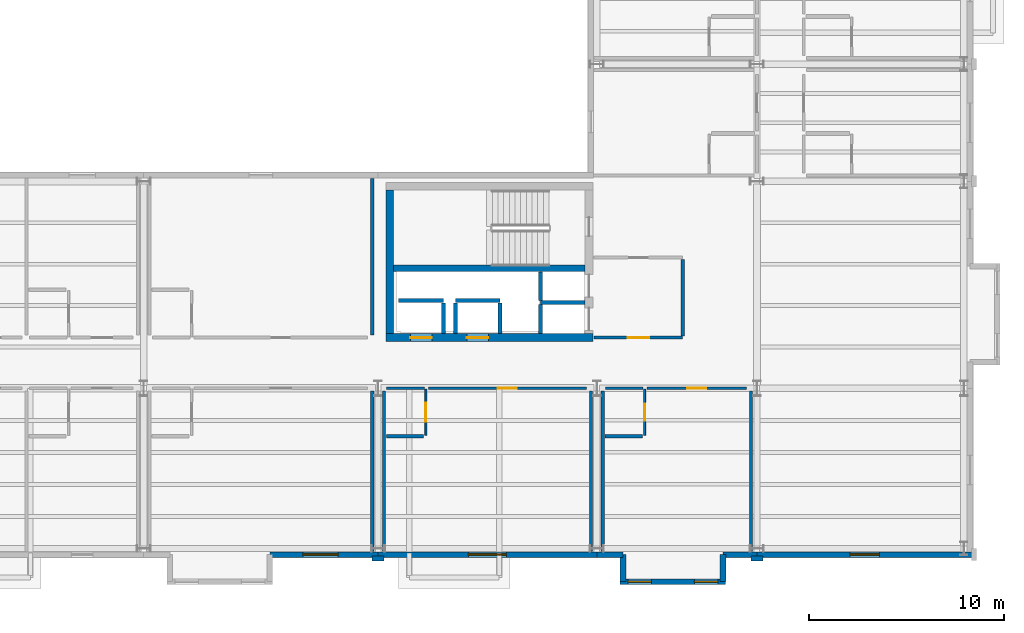
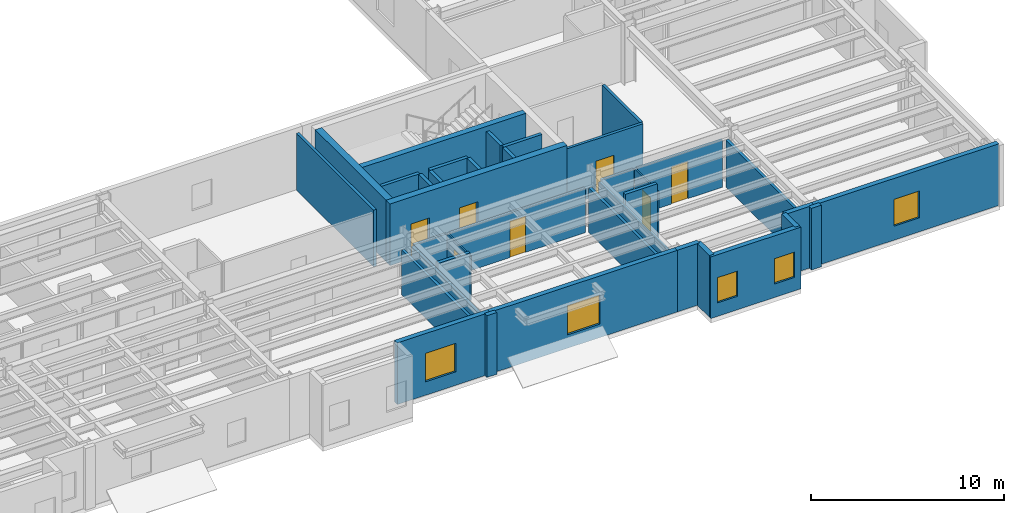
# One storey, part 35 of 46: 37 walls, 7 doors, 5 windows, 12 openings.
"""IFC4 building model written with IfcOpenShell, lengths in metres."""

from ifc_helpers import new_model, si_unit, direction, frame, frame_2d, origin, place, context, subcontext, project, spatial, rectangle, extrude, material, layer, layer_set, type_object, element, fill, save


model = new_model("IFC4")

# Units and contexts
model_context = context("Model", 3, precision=1e-05, world=origin(), true_north=direction((0.0, 1.0)))
body_context = subcontext(model_context, "Body", "Model", "MODEL_VIEW")
ifc_project = project(units=[si_unit("LENGTHUNIT", "METRE"), si_unit("AREAUNIT", "SQUARE_METRE"), si_unit("VOLUMEUNIT", "CUBIC_METRE"), si_unit("PLANEANGLEUNIT", "RADIAN"), si_unit("MASSUNIT", "GRAM", prefix="KILO")], contexts=[model_context])

# Site, building, storey
site_placement = place(None, origin())
site = spatial("IfcSite", under=ifc_project, at=site_placement, CompositionType="ELEMENT")
building_placement = place(site_placement, origin())
building = spatial("IfcBuilding", under=site, at=building_placement, Name="Sollismere Congress Hotel", CompositionType="ELEMENT")
storey_placement = place(building_placement, frame((0.0, 0.0, 19.5)))
storey = spatial("IfcBuildingStorey", under=building, at=storey_placement, Name="L04", CompositionType="ELEMENT", Elevation=19.5)

# Wall, opening, window
ifc_material_1 = material(Name="Colorado Buff Sandstone Rainscreen on Insulated Backup", Category="masonry")
ifc_layer_1 = layer(ifc_material_1, 0.284912109375, Name="Colorado Buff Sandstone Rainscreen on Insulated Backup")
ifc_layer_set_1 = layer_set([ifc_layer_1], Name="Colorado Buff Sandstone Rainscreen on Insulated Backup")
wall_type_1 = type_object("IfcWallType", Name="WL-EXT285", PredefinedType="STANDARD", material=ifc_layer_set_1)
wall_1_placement = place(storey_placement, frame((130.4599609375, -0.31005859375, 0.0), z_axis=(0.0, 0.0, 1.0), x_axis=(1.0, 0.0, 0.0)))
wall_1 = element("IfcWall", 1, at=wall_1_placement, inside=storey, type_object=wall_type_1, Name="Exterior wall EW-L04-506", PredefinedType="STANDARD", context=body_context, shape_type="SweptSolid", body=[
    extrude(rectangle(XDim=5.5400390625, YDim=0.284912109375, at=frame_2d((2.77001953125, 0.0))), origin(), (0.0, 0.0, 1.0), 3.89990234375),
])
opening_1_placement = place(wall_1_placement, frame((1.695068359375, 0.0, 0.85009765625)))
opening_1 = element("IfcOpeningElement", 2, at=opening_1_placement, cuts=wall_1, Name="Opening W-L04-387", PredefinedType="OPENING", context=body_context, shape_type="SweptSolid", body=[
    extrude(rectangle(XDim=1.800048828125, YDim=1.800048828125, at=frame_2d((0.89990234375, 0.89990234375))), frame((0.0, 0.15234375, 0.0), z_axis=(0.0, -1.0, 0.0), x_axis=(1.0, 0.0, 0.0)), (0.0, 0.0, 1.0), 0.304931640625),
])
ifc_material_2 = material(Name="Thermally Broken Bronze Aluminum & Low-E Glass", Category="aluminium")
window_type_1 = type_object("IfcWindowType", Name="WN-P180x180", PartitioningType="SINGLE_PANEL", PredefinedType="WINDOW", material=ifc_material_2)
window_1_placement = place(opening_1_placement, origin())
window_1 = element("IfcWindow", 3, at=window_1_placement, inside=storey, type_object=window_type_1, Name="WIN-W-L04-387", OverallHeight=1.800048828125, OverallWidth=1.800048828125, PartitioningType="SINGLE_PANEL", PredefinedType="WINDOW", context=body_context, shape_type="SweptSolid", body=[
    extrude(rectangle(XDim=1.800048828125, YDim=1.800048828125, at=frame_2d((0.89990234375, 0.89990234375))), frame((0.0, 0.030029296875, 0.0), z_axis=(0.0, -1.0, 0.0), x_axis=(1.0, 0.0, 0.0)), (0.0, 0.0, 1.0), 0.06005859375),
])
fill(opening_1, window_1)

wall_2_placement = place(storey_placement, frame((136.0, -0.31005859375, 0.0), z_axis=(0.0, 0.0, 1.0), x_axis=(1.0, 0.0, 0.0)))
wall_2 = element("IfcWall", 4, at=wall_2_placement, inside=storey, type_object=wall_type_1, Name="Exterior wall EW-L04-510", PredefinedType="STANDARD", context=body_context, shape_type="SweptSolid", body=[
    extrude(rectangle(XDim=11.199951171875, YDim=0.284912109375, at=frame_2d((5.60009765625, 0.0))), origin(), (0.0, 0.0, 1.0), 3.89990234375),
])
opening_2_placement = place(wall_2_placement, frame((4.625, 0.0, 0.85009765625)))
opening_2 = element("IfcOpeningElement", 5, at=opening_2_placement, cuts=wall_2, Name="Opening W-L04-390", PredefinedType="OPENING", context=body_context, shape_type="SweptSolid", body=[
    extrude(rectangle(XDim=1.949951171875, YDim=1.85009765625, at=frame_2d((0.97509765625, 0.925048828125))), frame((0.0, 0.15234375, 0.0), z_axis=(0.0, -1.0, 0.0), x_axis=(1.0, 0.0, 0.0)), (0.0, 0.0, 1.0), 0.304931640625),
])
window_type_2 = type_object("IfcWindowType", Name="WN-P195x185", PartitioningType="SINGLE_PANEL", PredefinedType="WINDOW", material=ifc_material_2)
window_2_placement = place(opening_2_placement, origin())
window_2 = element("IfcWindow", 6, at=window_2_placement, inside=storey, type_object=window_type_2, Name="WIN-W-L04-390", OverallHeight=1.85009765625, OverallWidth=1.949951171875, PartitioningType="SINGLE_PANEL", PredefinedType="WINDOW", context=body_context, shape_type="SweptSolid", body=[
    extrude(rectangle(XDim=1.949951171875, YDim=1.85009765625, at=frame_2d((0.97509765625, 0.925048828125))), frame((0.0, 0.030029296875, 0.0), z_axis=(0.0, -1.0, 0.0), x_axis=(1.0, 0.0, 0.0)), (0.0, 0.0, 1.0), 0.06005859375),
])
fill(opening_2, window_2)

# Walls
wall_3_placement = place(storey_placement, frame((147.199951171875, -0.31005859375, 0.0), z_axis=(0.0, 0.0, 1.0), x_axis=(1.0, 0.0, 0.0)))
element("IfcWall", 7, at=wall_3_placement, inside=storey, type_object=wall_type_1, Name="Exterior wall EW-L04-512", PredefinedType="STANDARD", context=body_context, shape_type="SweptSolid", body=[
    extrude(rectangle(XDim=1.340087890625, YDim=0.284912109375, at=frame_2d((0.669921875, 0.0))), origin(), (0.0, 0.0, 1.0), 3.89990234375),
])
wall_4_placement = place(storey_placement, frame((153.659912109375, -0.31005859375, 0.0), z_axis=(0.0, 0.0, 1.0), x_axis=(1.0, 0.0, 0.0)))
element("IfcWall", 8, at=wall_4_placement, inside=storey, type_object=wall_type_1, Name="Exterior wall EW-L04-513", PredefinedType="STANDARD", context=body_context, shape_type="SweptSolid", body=[
    extrude(rectangle(XDim=1.739990234375, YDim=0.284912109375, at=frame_2d((0.8701171875, 0.0))), origin(), (0.0, 0.0, 1.0), 3.89990234375),
])

# Wall, openings, windows
wall_5_placement = place(storey_placement, frame((148.39990234375, -1.699951171875, 0.0), z_axis=(0.0, 0.0, 1.0), x_axis=(1.0, 0.0, 0.0)))
wall_5 = element("IfcWall", 9, at=wall_5_placement, inside=storey, type_object=wall_type_1, Name="Exterior wall EW-L04-514", PredefinedType="STANDARD", context=body_context, shape_type="SweptSolid", body=[
    extrude(rectangle(XDim=5.400146484375, YDim=0.284912109375, at=frame_2d((2.7001953125, 0.0))), origin(), (0.0, 0.0, 1.0), 3.89990234375),
])
opening_3_placement = place(wall_5_placement, frame((0.39990234375, 0.0, 0.85009765625)))
opening_3 = element("IfcOpeningElement", 10, at=opening_3_placement, cuts=wall_5, Name="Opening W-L04-391", PredefinedType="OPENING", context=body_context, shape_type="SweptSolid", body=[
    extrude(rectangle(XDim=1.199951171875, YDim=1.60009765625, at=frame_2d((0.60009765625, 0.800048828125))), frame((0.0, 0.15234375, 0.0), z_axis=(0.0, -1.0, 0.0), x_axis=(1.0, 0.0, 0.0)), (0.0, 0.0, 1.0), 0.304931640625),
])
opening_4_placement = place(wall_5_placement, frame((3.800048828125, 0.0, 0.85009765625)))
opening_4 = element("IfcOpeningElement", 11, at=opening_4_placement, cuts=wall_5, Name="Opening W-L04-392", PredefinedType="OPENING", context=body_context, shape_type="SweptSolid", body=[
    extrude(rectangle(XDim=1.199951171875, YDim=1.60009765625, at=frame_2d((0.60009765625, 0.800048828125))), frame((0.0, 0.15234375, 0.0), z_axis=(0.0, -1.0, 0.0), x_axis=(1.0, 0.0, 0.0)), (0.0, 0.0, 1.0), 0.304931640625),
])
window_type_3 = type_object("IfcWindowType", Name="WN-P120x160", PartitioningType="SINGLE_PANEL", PredefinedType="WINDOW", material=ifc_material_2)
window_3_placement = place(opening_3_placement, origin())
window_3 = element("IfcWindow", 12, at=window_3_placement, inside=storey, type_object=window_type_3, Name="WIN-W-L04-391", OverallHeight=1.60009765625, OverallWidth=1.199951171875, PartitioningType="SINGLE_PANEL", PredefinedType="WINDOW", context=body_context, shape_type="SweptSolid", body=[
    extrude(rectangle(XDim=1.199951171875, YDim=1.60009765625, at=frame_2d((0.60009765625, 0.800048828125))), frame((0.0, 0.030029296875, 0.0), z_axis=(0.0, -1.0, 0.0), x_axis=(1.0, 0.0, 0.0)), (0.0, 0.0, 1.0), 0.06005859375),
])
fill(opening_3, window_3)
window_4_placement = place(opening_4_placement, origin())
window_4 = element("IfcWindow", 13, at=window_4_placement, inside=storey, type_object=window_type_3, Name="WIN-W-L04-392", OverallHeight=1.60009765625, OverallWidth=1.199951171875, PartitioningType="SINGLE_PANEL", PredefinedType="WINDOW", context=body_context, shape_type="SweptSolid", body=[
    extrude(rectangle(XDim=1.199951171875, YDim=1.60009765625, at=frame_2d((0.60009765625, 0.800048828125))), frame((0.0, 0.030029296875, 0.0), z_axis=(0.0, -1.0, 0.0), x_axis=(1.0, 0.0, 0.0)), (0.0, 0.0, 1.0), 0.06005859375),
])
fill(opening_4, window_4)

# Walls
for number, where, z_axis, x_axis, name in (
    (14, (148.5400390625, -0.31005859375, 0.0), (0.0, 0.0, 1.0), (0.0, -1.0, 0.0), "Exterior wall EW-L04-515"),
    (15, (153.659912109375, -1.699951171875, 0.0), (0.0, 0.0, 1.0), (0.0, 1.0, 0.0), "Exterior wall EW-L04-516"),
):
    element("IfcWall", number, at=place(storey_placement, frame(where, z_axis=z_axis, x_axis=x_axis)), inside=storey, type_object=wall_type_1, Name=name, PredefinedType="STANDARD", context=body_context, shape_type="SweptSolid", body=[
        extrude(rectangle(XDim=1.389892578125, YDim=0.284912109375, at=frame_2d((0.69482421875, 0.0))), origin(), (0.0, 0.0, 1.0), 3.89990234375),
    ])

# Wall, opening, window
wall_6_placement = place(storey_placement, frame((155.39990234375, -0.31005859375, 0.0), z_axis=(0.0, 0.0, 1.0), x_axis=(1.0, 0.0, 0.0)))
wall_6 = element("IfcWall", 16, at=wall_6_placement, inside=storey, type_object=wall_type_1, Name="Exterior wall EW-L04-517", PredefinedType="STANDARD", context=body_context, shape_type="SweptSolid", body=[
    extrude(rectangle(XDim=11.050048828125, YDim=0.284912109375, at=frame_2d((5.52490234375, 0.0))), origin(), (0.0, 0.0, 1.0), 3.89990234375),
])
opening_5_placement = place(wall_6_placement, frame((4.77490234375, 0.0, 0.8798828125)))
opening_5 = element("IfcOpeningElement", 17, at=opening_5_placement, cuts=wall_6, Name="Opening W-L04-393", PredefinedType="OPENING", context=body_context, shape_type="SweptSolid", body=[
    extrude(rectangle(XDim=1.5, YDim=1.699951171875, at=frame_2d((0.75, 0.85009765625))), frame((0.0, 0.15234375, 0.0), z_axis=(0.0, -1.0, 0.0), x_axis=(1.0, 0.0, 0.0)), (0.0, 0.0, 1.0), 0.304931640625),
])
window_type_4 = type_object("IfcWindowType", Name="WN-P150x170", PartitioningType="SINGLE_PANEL", PredefinedType="WINDOW", material=ifc_material_2)
window_5_placement = place(opening_5_placement, origin())
window_5 = element("IfcWindow", 18, at=window_5_placement, inside=storey, type_object=window_type_4, Name="WIN-W-L04-393", OverallHeight=1.699951171875, OverallWidth=1.5, PartitioningType="SINGLE_PANEL", PredefinedType="WINDOW", context=body_context, shape_type="SweptSolid", body=[
    extrude(rectangle(XDim=1.5, YDim=1.699951171875, at=frame_2d((0.75, 0.85009765625))), frame((0.0, 0.030029296875, 0.0), z_axis=(0.0, -1.0, 0.0), x_axis=(1.0, 0.0, 0.0)), (0.0, 0.0, 1.0), 0.06005859375),
])
fill(opening_5, window_5)

# Walls
ifc_material_3 = material(Name="Carved Travertine Pilaster & Frieze Assembly", Category="masonry")
ifc_layer_2 = layer(ifc_material_3, 0.260009765625, Name="Carved Travertine Pilaster & Frieze Assembly")
ifc_layer_set_2 = layer_set([ifc_layer_2], Name="Carved Travertine Pilaster & Frieze Assembly")
wall_type_2 = type_object("IfcWallType", Name="WL-PIL280", PredefinedType="ELEMENTEDWALL", material=ifc_layer_set_2)
wall_7_placement = place(storey_placement, frame((135.699951171875, -0.52001953125, 0.0), z_axis=(0.0, 0.0, 1.0), x_axis=(1.0, 0.0, 0.0)))
element("IfcWall", 19, at=wall_7_placement, inside=storey, type_object=wall_type_2, Name="Exterior wall EW-L04-511", PredefinedType="ELEMENTEDWALL", context=body_context, shape_type="SweptSolid", body=[
    extrude(rectangle(XDim=0.60009765625, YDim=0.260009765625, at=frame_2d((0.300048828125, 0.0))), origin(), (0.0, 0.0, 1.0), 3.89990234375),
])
wall_8_placement = place(storey_placement, frame((155.10009765625, -0.52001953125, 0.0), z_axis=(0.0, 0.0, 1.0), x_axis=(1.0, 0.0, 0.0)))
element("IfcWall", 20, at=wall_8_placement, inside=storey, type_object=wall_type_2, Name="Exterior wall EW-L04-518", PredefinedType="ELEMENTEDWALL", context=body_context, shape_type="SweptSolid", body=[
    extrude(rectangle(XDim=0.599853515625, YDim=0.260009765625, at=frame_2d((0.2998046875, 0.0))), origin(), (0.0, 0.0, 1.0), 3.89990234375),
])
ifc_material_4 = material(Name="Moisture-Resistant Shaft Gypsum Assembly")
ifc_layer_3 = layer(ifc_material_4, 0.199951171875, Name="Moisture-Resistant Shaft Gypsum Assembly")
ifc_layer_set_3 = layer_set([ifc_layer_3], Name="Moisture-Resistant Shaft Gypsum Assembly")
wall_type_3 = type_object("IfcWallType", Name="WL-PLM200", PredefinedType="PLUMBINGWALL", material=ifc_layer_set_3)
wall_9_placement = place(storey_placement, frame((137.054931640625, 12.68994140625, 0.0), z_axis=(0.0, 0.0, 1.0), x_axis=(1.0, 0.0, 0.0)))
element("IfcWall", 21, at=wall_9_placement, inside=storey, type_object=wall_type_3, Name="Interior wall IW-L04-0086", PredefinedType="PLUMBINGWALL", context=body_context, shape_type="SweptSolid", body=[
    extrude(rectangle(XDim=2.2900390625, YDim=0.199951171875, at=frame_2d((1.14501953125, 0.0))), origin(), (0.0, 0.0, 1.0), 3.5849609375),
])
wall_10_placement = place(storey_placement, frame((139.344970703125, 11.011962890625, 0.0), z_axis=(0.0, 0.0, 1.0), x_axis=(0.0, 1.0, 0.0)))
element("IfcWall", 22, at=wall_10_placement, inside=storey, type_object=wall_type_3, Name="Interior wall IW-L04-0087", PredefinedType="PLUMBINGWALL", context=body_context, shape_type="SweptSolid", body=[
    extrude(rectangle(XDim=1.56591796875, YDim=0.199951171875, at=frame_2d((0.782958984375, 0.0))), origin(), (0.0, 0.0, 1.0), 3.5849609375),
])
wall_11_placement = place(storey_placement, frame((139.955078125, 12.68994140625, 0.0), z_axis=(0.0, 0.0, 1.0), x_axis=(1.0, 0.0, 0.0)))
element("IfcWall", 23, at=wall_11_placement, inside=storey, type_object=wall_type_3, Name="Interior wall IW-L04-0088", PredefinedType="PLUMBINGWALL", context=body_context, shape_type="SweptSolid", body=[
    extrude(rectangle(XDim=2.2900390625, YDim=0.199951171875, at=frame_2d((1.14501953125, 0.0))), origin(), (0.0, 0.0, 1.0), 3.5849609375),
])
for number, where, z_axis, x_axis, name in (
    (24, (139.955078125, 11.011962890625, 0.0), (0.0, 0.0, 1.0), (0.0, 1.0, 0.0), "Interior wall IW-L04-0089"),
    (25, (142.2451171875, 11.011962890625, 0.0), (0.0, 0.0, 1.0), (0.0, 1.0, 0.0), "Interior wall IW-L04-0090"),
):
    element("IfcWall", number, at=place(storey_placement, frame(where, z_axis=z_axis, x_axis=x_axis)), inside=storey, type_object=wall_type_3, Name=name, PredefinedType="PLUMBINGWALL", context=body_context, shape_type="SweptSolid", body=[
        extrude(rectangle(XDim=1.56591796875, YDim=0.199951171875, at=frame_2d((0.782958984375, 0.0))), origin(), (0.0, 0.0, 1.0), 3.5849609375),
    ])
wall_12_placement = place(storey_placement, frame((144.31005859375, 12.594970703125, 0.0), z_axis=(0.0, 0.0, 1.0), x_axis=(1.0, 0.0, 0.0)))
element("IfcWall", 26, at=wall_12_placement, inside=storey, type_object=wall_type_3, Name="Interior wall IW-L04-0091", PredefinedType="PLUMBINGWALL", context=body_context, shape_type="SweptSolid", body=[
    extrude(rectangle(XDim=2.27783203125, YDim=0.199951171875, at=frame_2d((1.138916015625, 0.0))), origin(), (0.0, 0.0, 1.0), 3.5849609375),
])
wall_13_placement = place(storey_placement, frame((144.31005859375, 11.011962890625, 0.0), z_axis=(0.0, 0.0, 1.0), x_axis=(0.0, 1.0, 0.0)))
element("IfcWall", 27, at=wall_13_placement, inside=storey, type_object=wall_type_3, Name="Interior wall IW-L04-0092", PredefinedType="PLUMBINGWALL", context=body_context, shape_type="SweptSolid", body=[
    extrude(rectangle(XDim=1.470947265625, YDim=0.199951171875, at=frame_2d((0.7353515625, 0.0))), origin(), (0.0, 0.0, 1.0), 3.5849609375),
])
wall_14_placement = place(storey_placement, frame((144.31005859375, 12.70703125, 0.0), z_axis=(0.0, 0.0, 1.0), x_axis=(0.0, 1.0, 0.0)))
element("IfcWall", 28, at=wall_14_placement, inside=storey, type_object=wall_type_3, Name="Interior wall IW-L04-0093", PredefinedType="PLUMBINGWALL", context=body_context, shape_type="SweptSolid", body=[
    extrude(rectangle(XDim=1.4560546875, YDim=0.199951171875, at=frame_2d((0.72802734375, 0.0))), origin(), (0.0, 0.0, 1.0), 3.5849609375),
])
wall_15_placement = place(storey_placement, frame((136.419921875, 5.75, 0.0), z_axis=(0.0, 0.0, 1.0), x_axis=(1.0, 0.0, 0.0)))
element("IfcWall", 29, at=wall_15_placement, inside=storey, type_object=wall_type_3, Name="Interior wall IW-L04-1638", PredefinedType="PLUMBINGWALL", context=body_context, shape_type="SweptSolid", body=[
    extrude(rectangle(XDim=1.91015625, YDim=0.199951171875, at=frame_2d((0.955078125, 0.0))), origin(), (0.0, 0.0, 1.0), 3.137939453125),
])
wall_16_placement = place(storey_placement, frame((147.6201171875, 5.75, 0.0), z_axis=(0.0, 0.0, 1.0), x_axis=(1.0, 0.0, 0.0)))
element("IfcWall", 30, at=wall_16_placement, inside=storey, type_object=wall_type_3, Name="Interior wall IW-L04-1644", PredefinedType="PLUMBINGWALL", context=body_context, shape_type="SweptSolid", body=[
    extrude(rectangle(XDim=1.909912109375, YDim=0.199951171875, at=frame_2d((0.955078125, 0.0))), origin(), (0.0, 0.0, 1.0), 3.5849609375),
])

# Wall, opening, door
ifc_material_5 = material(Name="Moisture-Resistant Gypsum Partition")
ifc_layer_4 = layer(ifc_material_5, 0.10009765625, Name="Moisture-Resistant Gypsum Partition")
ifc_layer_set_4 = layer_set([ifc_layer_4], Name="Moisture-Resistant Gypsum Partition")
wall_type_4 = type_object("IfcWallType", Name="WL-PRT100", PredefinedType="PARTITIONING", material=ifc_layer_set_4)
wall_17_placement = place(storey_placement, frame((138.449951171875, 5.7900390625, 0.0), z_axis=(0.0, 0.0, 1.0), x_axis=(0.0, 1.0, 0.0)))
wall_17 = element("IfcWall", 31, at=wall_17_placement, inside=storey, type_object=wall_type_4, Name="Interior wall IW-L04-1637", PredefinedType="PARTITIONING", context=body_context, shape_type="SweptSolid", body=[
    extrude(rectangle(XDim=2.369873046875, YDim=0.10009765625, at=frame_2d((1.18505859375, 0.0))), origin(), (0.0, 0.0, 1.0), 2.822998046875),
])
opening_6_placement = place(wall_17_placement, frame((0.7080078125, 0.0, 0.0)))
opening_6 = element("IfcOpeningElement", 32, at=opening_6_placement, cuts=wall_17, Name="Opening D-L04-0578", PredefinedType="OPENING", context=body_context, shape_type="SweptSolid", body=[
    extrude(rectangle(XDim=0.955078125, YDim=2.219970703125, at=frame_2d((0.4775390625, 1.10986328125))), frame((0.0, 0.06005859375, 0.0), z_axis=(0.0, -1.0, 0.0), x_axis=(1.0, 0.0, 0.0)), (0.0, 0.0, 1.0), 0.1201171875),
])
ifc_material_6 = material(Name="Moisture-Sealed Timber Bathroom Door", Category="wood")
door_type_1 = type_object("IfcDoorType", Name="DR-BT08", OperationType="NOTDEFINED", PredefinedType="DOOR", material=ifc_material_6)
door_1_placement = place(opening_6_placement, origin())
door_1 = element("IfcDoor", 33, at=door_1_placement, inside=storey, type_object=door_type_1, Name="En-suite bathroom door D-L04-0578", OperationType="SINGLE_SWING_LEFT", OverallHeight=2.219970703125, OverallWidth=0.955078125, PredefinedType="DOOR", context=body_context, shape_type="SweptSolid", body=[
    extrude(rectangle(XDim=0.955078125, YDim=2.219970703125, at=frame_2d((0.4775390625, 1.10986328125))), frame((0.0, 0.02490234375, 0.0), z_axis=(0.0, -1.0, 0.0), x_axis=(1.0, 0.0, 0.0)), (0.0, 0.0, 1.0), 0.050048828125),
])
fill(opening_6, door_1)

wall_18_placement = place(storey_placement, frame((149.64990234375, 5.7900390625, 0.0), z_axis=(0.0, 0.0, 1.0), x_axis=(0.0, 1.0, 0.0)))
wall_18 = element("IfcWall", 34, at=wall_18_placement, inside=storey, type_object=wall_type_4, Name="Interior wall IW-L04-1643", PredefinedType="PARTITIONING", context=body_context, shape_type="SweptSolid", body=[
    extrude(rectangle(XDim=2.369873046875, YDim=0.10009765625, at=frame_2d((1.18505859375, 0.0))), origin(), (0.0, 0.0, 1.0), 2.998046875),
])
opening_7_placement = place(wall_18_placement, frame((0.7451171875, 0.0, 0.0)))
opening_7 = element("IfcOpeningElement", 35, at=opening_7_placement, cuts=wall_18, Name="Opening D-L04-0580", PredefinedType="OPENING", context=body_context, shape_type="SweptSolid", body=[
    extrude(rectangle(XDim=0.8798828125, YDim=2.10009765625, at=frame_2d((0.43994140625, 1.050048828125))), frame((0.0, 0.06005859375, 0.0), z_axis=(0.0, -1.0, 0.0), x_axis=(1.0, 0.0, 0.0)), (0.0, 0.0, 1.0), 0.1201171875),
])
door_type_2 = type_object("IfcDoorType", Name="DR-BT01", OperationType="NOTDEFINED", PredefinedType="DOOR", material=ifc_material_6)
door_2_placement = place(opening_7_placement, origin())
door_2 = element("IfcDoor", 36, at=door_2_placement, inside=storey, type_object=door_type_2, Name="En-suite bathroom door D-L04-0580", OperationType="SINGLE_SWING_LEFT", OverallHeight=2.10009765625, OverallWidth=0.8798828125, PredefinedType="DOOR", context=body_context, shape_type="SweptSolid", body=[
    extrude(rectangle(XDim=0.8798828125, YDim=2.10009765625, at=frame_2d((0.43994140625, 1.050048828125))), frame((0.0, 0.02490234375, 0.0), z_axis=(0.0, -1.0, 0.0), x_axis=(1.0, 0.0, 0.0)), (0.0, 0.0, 1.0), 0.050048828125),
])
fill(opening_7, door_2)

# Wall
ifc_material_7 = material(Name="Fire-Rated Gypsum Partition")
ifc_layer_5 = layer(ifc_material_7, 0.139892578125, Name="Fire-Rated Gypsum Partition")
ifc_layer_set_5 = layer_set([ifc_layer_5], Name="Fire-Rated Gypsum Partition")
wall_type_5 = type_object("IfcWallType", Name="WL-PRT140R", PredefinedType="PARTITIONING", material=ifc_layer_set_5)
wall_19_placement = place(storey_placement, frame((136.43994140625, 8.199951171875, 0.0), z_axis=(0.0, 0.0, 1.0), x_axis=(1.0, 0.0, 0.0)))
element("IfcWall", 37, at=wall_19_placement, inside=storey, type_object=wall_type_5, Name="Interior wall IW-L04-1633", PredefinedType="PARTITIONING", context=body_context, shape_type="SweptSolid", body=[
    extrude(rectangle(XDim=1.93017578125, YDim=0.139892578125, at=frame_2d((0.965087890625, 0.0))), origin(), (0.0, 0.0, 1.0), 2.822998046875),
])

# Wall, opening, door
wall_20_placement = place(storey_placement, frame((138.570068359375, 8.199951171875, 0.0), z_axis=(0.0, 0.0, 1.0), x_axis=(1.0, 0.0, 0.0)))
wall_20 = element("IfcWall", 38, at=wall_20_placement, inside=storey, type_object=wall_type_5, Name="Interior wall IW-L04-1634", PredefinedType="PARTITIONING", context=body_context, shape_type="SweptSolid", body=[
    extrude(rectangle(XDim=8.08984375, YDim=0.139892578125, at=frame_2d((4.044921875, 0.0))), origin(), (0.0, 0.0, 1.0), 2.822998046875),
])
opening_8_placement = place(wall_20_placement, frame((3.570068359375, 0.0, 0.0)))
opening_8 = element("IfcOpeningElement", 39, at=opening_8_placement, cuts=wall_20, Name="Opening D-L04-0577", PredefinedType="OPENING", context=body_context, shape_type="SweptSolid", body=[
    extrude(rectangle(XDim=0.949951171875, YDim=2.300048828125, at=frame_2d((0.47509765625, 1.14990234375))), frame((0.0, 0.079833984375, 0.0), z_axis=(0.0, -1.0, 0.0), x_axis=(1.0, 0.0, 0.0)), (0.0, 0.0, 1.0), 0.159912109375),
])
ifc_material_8 = material(Name="Solid-Core Acoustic Walnut Guestroom Entry Door")
door_type_3 = type_object("IfcDoorType", Name="DR-KY08", OperationType="NOTDEFINED", PredefinedType="DOOR", material=ifc_material_8)
door_3_placement = place(opening_8_placement, origin())
door_3 = element("IfcDoor", 40, at=door_3_placement, inside=storey, type_object=door_type_3, Name="Hotel room entry door D-L04-0577", OperationType="SINGLE_SWING_RIGHT", OverallHeight=2.300048828125, OverallWidth=0.949951171875, PredefinedType="DOOR", context=body_context, shape_type="SweptSolid", body=[
    extrude(rectangle(XDim=0.949951171875, YDim=2.300048828125, at=frame_2d((0.47509765625, 1.14990234375))), frame((0.0, 0.02490234375, 0.0), z_axis=(0.0, -1.0, 0.0), x_axis=(1.0, 0.0, 0.0)), (0.0, 0.0, 1.0), 0.050048828125),
])
fill(opening_8, door_3)

# Wall
wall_21_placement = place(storey_placement, frame((147.639892578125, 8.199951171875, 0.0), z_axis=(0.0, 0.0, 1.0), x_axis=(1.0, 0.0, 0.0)))
element("IfcWall", 41, at=wall_21_placement, inside=storey, type_object=wall_type_5, Name="Interior wall IW-L04-1639", PredefinedType="PARTITIONING", context=body_context, shape_type="SweptSolid", body=[
    extrude(rectangle(XDim=1.93017578125, YDim=0.139892578125, at=frame_2d((0.965087890625, 0.0))), origin(), (0.0, 0.0, 1.0), 2.998046875),
])

# Wall, opening, door
wall_22_placement = place(storey_placement, frame((149.77001953125, 8.199951171875, 0.0), z_axis=(0.0, 0.0, 1.0), x_axis=(1.0, 0.0, 0.0)))
wall_22 = element("IfcWall", 42, at=wall_22_placement, inside=storey, type_object=wall_type_5, Name="Interior wall IW-L04-1640", PredefinedType="PARTITIONING", context=body_context, shape_type="SweptSolid", body=[
    extrude(rectangle(XDim=5.090087890625, YDim=0.139892578125, at=frame_2d((2.544921875, 0.0))), origin(), (0.0, 0.0, 1.0), 2.998046875),
])
opening_9_placement = place(wall_22_placement, frame((2.054931640625, 0.0, 0.0)))
opening_9 = element("IfcOpeningElement", 43, at=opening_9_placement, cuts=wall_22, Name="Opening D-L04-0579", PredefinedType="OPENING", context=body_context, shape_type="SweptSolid", body=[
    extrude(rectangle(XDim=0.97998046875, YDim=2.35009765625, at=frame_2d((0.489990234375, 1.175048828125))), frame((0.0, 0.079833984375, 0.0), z_axis=(0.0, -1.0, 0.0), x_axis=(1.0, 0.0, 0.0)), (0.0, 0.0, 1.0), 0.159912109375),
])
door_type_4 = type_object("IfcDoorType", Name="DR-KY09", OperationType="NOTDEFINED", PredefinedType="DOOR", material=ifc_material_8)
door_4_placement = place(opening_9_placement, origin())
door_4 = element("IfcDoor", 44, at=door_4_placement, inside=storey, type_object=door_type_4, Name="Hotel room entry door D-L04-0579", OperationType="SINGLE_SWING_RIGHT", OverallHeight=2.35009765625, OverallWidth=0.97998046875, PredefinedType="DOOR", context=body_context, shape_type="SweptSolid", body=[
    extrude(rectangle(XDim=0.97998046875, YDim=2.35009765625, at=frame_2d((0.489990234375, 1.175048828125))), frame((0.0, 0.02490234375, 0.0), z_axis=(0.0, -1.0, 0.0), x_axis=(1.0, 0.0, 0.0)), (0.0, 0.0, 1.0), 0.050048828125),
])
fill(opening_9, door_4)

ifc_material_9 = material(Name="Fire-Rated Acoustic Gypsum Partition")
ifc_layer_6 = layer(ifc_material_9, 0.1650390625, Name="Fire-Rated Acoustic Gypsum Partition")
ifc_layer_set_6 = layer_set([ifc_layer_6], Name="Fire-Rated Acoustic Gypsum Partition")
wall_type_6 = type_object("IfcWallType", Name="WL-PRT165R", PredefinedType="PARTITIONING", material=ifc_layer_set_6)
wall_23_placement = place(storey_placement, frame((147.050048828125, 10.800048828125, 0.0), z_axis=(0.0, 0.0, 1.0), x_axis=(1.0, 0.0, 0.0)))
wall_23 = element("IfcWall", 45, at=wall_23_placement, inside=storey, type_object=wall_type_6, Name="Interior wall IW-L04-0094", PredefinedType="PARTITIONING", context=body_context, shape_type="SweptSolid", body=[
    extrude(rectangle(XDim=4.550048828125, YDim=0.1650390625, at=frame_2d((2.27490234375, 0.0))), origin(), (0.0, 0.0, 1.0), 3.5849609375),
])
opening_10_placement = place(wall_23_placement, frame((1.72509765625, 0.0, 0.0)))
opening_10 = element("IfcOpeningElement", 46, at=opening_10_placement, cuts=wall_23, Name="Opening D-FFL-L04", PredefinedType="OPENING", context=body_context, shape_type="SweptSolid", body=[
    extrude(rectangle(XDim=1.10009765625, YDim=2.199951171875, at=frame_2d((0.550048828125, 1.10009765625))), frame((0.0, 0.092529296875, 0.0), z_axis=(0.0, -1.0, 0.0), x_axis=(1.0, 0.0, 0.0)), (0.0, 0.0, 1.0), 0.18505859375),
])
ifc_material_10 = material(Name="Smoke-Barrier Rated Timber-Clad Steel Door", Category="steel")
door_type_5 = type_object("IfcDoorType", Name="DR-FFL110", OperationType="NOTDEFINED", PredefinedType="DOOR", material=ifc_material_10)
door_5_placement = place(opening_10_placement, origin())
door_5 = element("IfcDoor", 47, at=door_5_placement, inside=storey, type_object=door_type_5, Name="Firefighting lobby smoke door D-FFL-L04", OperationType="SINGLE_SWING_LEFT", OverallHeight=2.199951171875, OverallWidth=1.10009765625, PredefinedType="DOOR", context=body_context, shape_type="SweptSolid", body=[
    extrude(rectangle(XDim=1.10009765625, YDim=2.199951171875, at=frame_2d((0.550048828125, 1.10009765625))), frame((0.0, 0.02490234375, 0.0), z_axis=(0.0, -1.0, 0.0), x_axis=(1.0, 0.0, 0.0)), (0.0, 0.0, 1.0), 0.050048828125),
])
fill(opening_10, door_5)

# Walls
wall_24_placement = place(storey_placement, frame((151.60009765625, 10.89453125, 0.0), z_axis=(0.0, 0.0, 1.0), x_axis=(0.0, 1.0, 0.0)))
element("IfcWall", 48, at=wall_24_placement, inside=storey, type_object=wall_type_6, Name="Interior wall IW-L04-0096", PredefinedType="PARTITIONING", context=body_context, shape_type="SweptSolid", body=[
    extrude(rectangle(XDim=3.910888671875, YDim=0.1650390625, at=frame_2d((1.95556640625, 0.0))), origin(), (0.0, 0.0, 1.0), 3.5849609375),
])
wall_25_placement = place(storey_placement, frame((135.699951171875, -0.152587890625, 0.0), z_axis=(0.0, 0.0, 1.0), x_axis=(0.0, 1.0, 0.0)))
element("IfcWall", 49, at=wall_25_placement, inside=storey, type_object=wall_type_6, Name="Interior wall IW-L04-1624", PredefinedType="PARTITIONING", context=body_context, shape_type="SweptSolid", body=[
    extrude(rectangle(XDim=8.212646484375, YDim=0.1650390625, at=frame_2d((4.1064453125, 0.0))), origin(), (0.0, 0.0, 1.0), 2.822998046875),
])
wall_26_placement = place(storey_placement, frame((135.699951171875, 10.93994140625, 0.0), z_axis=(0.0, 0.0, 1.0), x_axis=(0.0, 1.0, 0.0)))
element("IfcWall", 50, at=wall_26_placement, inside=storey, type_object=wall_type_6, Name="Interior wall IW-L04-1630", PredefinedType="PARTITIONING", context=body_context, shape_type="SweptSolid", body=[
    extrude(rectangle(XDim=8.012451171875, YDim=0.1650390625, at=frame_2d((4.00634765625, 0.0))), origin(), (0.0, 0.0, 1.0), 3.5849609375),
])
for number, where, z_axis, x_axis, name in (
    (51, (136.300048828125, -0.152587890625, 0.0), (0.0, 0.0, 1.0), (0.0, 1.0, 0.0), "Interior wall IW-L04-1635"),
    (52, (146.89990234375, -0.152587890625, 0.0), (0.0, 0.0, 1.0), (0.0, 1.0, 0.0), "Interior wall IW-L04-1636"),
):
    element("IfcWall", number, at=place(storey_placement, frame(where, z_axis=z_axis, x_axis=x_axis)), inside=storey, type_object=wall_type_6, Name=name, PredefinedType="PARTITIONING", context=body_context, shape_type="SweptSolid", body=[
        extrude(rectangle(XDim=8.212646484375, YDim=0.1650390625, at=frame_2d((4.1064453125, 0.0))), origin(), (0.0, 0.0, 1.0), 2.822998046875),
    ])
for number, where, z_axis, x_axis, name in (
    (53, (147.5, -0.152587890625, 0.0), (0.0, 0.0, 1.0), (0.0, 1.0, 0.0), "Interior wall IW-L04-1641"),
    (54, (155.10009765625, -0.152587890625, 0.0), (0.0, 0.0, 1.0), (0.0, 1.0, 0.0), "Interior wall IW-L04-1642"),
):
    element("IfcWall", number, at=place(storey_placement, frame(where, z_axis=z_axis, x_axis=x_axis)), inside=storey, type_object=wall_type_6, Name=name, PredefinedType="PARTITIONING", context=body_context, shape_type="SweptSolid", body=[
        extrude(rectangle(XDim=8.212646484375, YDim=0.1650390625, at=frame_2d((4.1064453125, 0.0))), origin(), (0.0, 0.0, 1.0), 2.97509765625),
    ])
ifc_material_11 = material(Name="Concrete C50/60", Category="concrete")
ifc_layer_7 = layer(ifc_material_11, 0.35009765625, Name="Concrete C50/60")
ifc_layer_set_7 = layer_set([ifc_layer_7], Name="Concrete C50/60")
wall_type_7 = type_object("IfcWallType", Name="WL-SHR350", PredefinedType="SHEAR", material=ifc_layer_set_7)
wall_27_placement = place(storey_placement, frame((136.800048828125, 14.35009765625, 0.0), z_axis=(0.0, 0.0, 1.0), x_axis=(1.0, 0.0, 0.0)))
element("IfcWall", 55, at=wall_27_placement, inside=storey, type_object=wall_type_7, Name="Interior wall IW-L04-0085", PredefinedType="SHEAR", context=body_context, shape_type="SweptSolid", body=[
    extrude(rectangle(XDim=9.800048828125, YDim=0.35009765625, at=frame_2d((4.89990234375, 0.0))), origin(), (0.0, 0.0, 1.0), 3.89990234375),
])

# Wall, openings, doors
ifc_layer_8 = layer(ifc_material_11, 0.39990234375, Name="Concrete C50/60")
ifc_layer_set_8 = layer_set([ifc_layer_8], Name="Concrete C50/60")
wall_type_8 = type_object("IfcWallType", Name="WL-SHR400", PredefinedType="SHEAR", material=ifc_layer_set_8)
wall_28_placement = place(storey_placement, frame((136.39990234375, 10.800048828125, 0.0), z_axis=(0.0, 0.0, 1.0), x_axis=(1.0, 0.0, 0.0)))
wall_28 = element("IfcWall", 56, at=wall_28_placement, inside=storey, type_object=wall_type_8, Name="Interior wall IW-L04-0081", PredefinedType="SHEAR", context=body_context, shape_type="SweptSolid", body=[
    extrude(rectangle(XDim=10.60009765625, YDim=0.39990234375, at=frame_2d((5.300048828125, 0.0))), origin(), (0.0, 0.0, 1.0), 3.89990234375),
])
opening_11_placement = place(wall_28_placement, frame((1.25, 0.0, 0.0)))
opening_11 = element("IfcOpeningElement", 57, at=opening_11_placement, cuts=wall_28, Name="Opening LD-LP-01-L04", PredefinedType="OPENING", context=body_context, shape_type="SweptSolid", body=[
    extrude(rectangle(XDim=1.10009765625, YDim=2.199951171875, at=frame_2d((0.550048828125, 1.10009765625))), frame((0.0, 0.2099609375, 0.0), z_axis=(0.0, -1.0, 0.0), x_axis=(1.0, 0.0, 0.0)), (0.0, 0.0, 1.0), 0.419921875),
])
opening_12_placement = place(wall_28_placement, frame((4.14990234375, 0.0, 0.0)))
opening_12 = element("IfcOpeningElement", 58, at=opening_12_placement, cuts=wall_28, Name="Opening LD-LP-02-L04", PredefinedType="OPENING", context=body_context, shape_type="SweptSolid", body=[
    extrude(rectangle(XDim=1.10009765625, YDim=2.199951171875, at=frame_2d((0.550048828125, 1.10009765625))), frame((0.0, 0.2099609375, 0.0), z_axis=(0.0, -1.0, 0.0), x_axis=(1.0, 0.0, 0.0)), (0.0, 0.0, 1.0), 0.419921875),
])
ifc_material_12 = material(Name="Brushed Bronze Sliding Elevator Landing Door")
door_type_6 = type_object("IfcDoorType", Name="DR-LD110", OperationType="NOTDEFINED", PredefinedType="DOOR", material=ifc_material_12)
door_6_placement = place(opening_11_placement, origin())
door_6 = element("IfcDoor", 59, at=door_6_placement, inside=storey, type_object=door_type_6, Name="Elevator landing door LD-LP-01-L04", OperationType="SLIDING_TO_LEFT", OverallHeight=2.199951171875, OverallWidth=1.10009765625, PredefinedType="DOOR", context=body_context, shape_type="SweptSolid", body=[
    extrude(rectangle(XDim=1.10009765625, YDim=2.199951171875, at=frame_2d((0.550048828125, 1.10009765625))), frame((0.0, 0.02490234375, 0.0), z_axis=(0.0, -1.0, 0.0), x_axis=(1.0, 0.0, 0.0)), (0.0, 0.0, 1.0), 0.050048828125),
])
fill(opening_11, door_6)
door_7_placement = place(opening_12_placement, origin())
door_7 = element("IfcDoor", 60, at=door_7_placement, inside=storey, type_object=door_type_6, Name="Elevator landing door LD-LP-02-L04", OperationType="SLIDING_TO_RIGHT", OverallHeight=2.199951171875, OverallWidth=1.10009765625, PredefinedType="DOOR", context=body_context, shape_type="SweptSolid", body=[
    extrude(rectangle(XDim=1.10009765625, YDim=2.199951171875, at=frame_2d((0.550048828125, 1.10009765625))), frame((0.0, 0.02490234375, 0.0), z_axis=(0.0, -1.0, 0.0), x_axis=(1.0, 0.0, 0.0)), (0.0, 0.0, 1.0), 0.050048828125),
])
fill(opening_12, door_7)

# Wall
wall_29_placement = place(storey_placement, frame((136.60009765625, 18.35009765625, 0.0), z_axis=(0.0, 0.0, 1.0), x_axis=(0.0, -1.0, 0.0)))
element("IfcWall", 61, at=wall_29_placement, inside=storey, type_object=wall_type_8, Name="Interior wall IW-L04-0083", PredefinedType="SHEAR", context=body_context, shape_type="SweptSolid", body=[
    extrude(rectangle(XDim=7.35009765625, YDim=0.39990234375, at=frame_2d((3.675048828125, 0.0))), origin(), (0.0, 0.0, 1.0), 3.89990234375),
])

save(model, "model.ifc")
